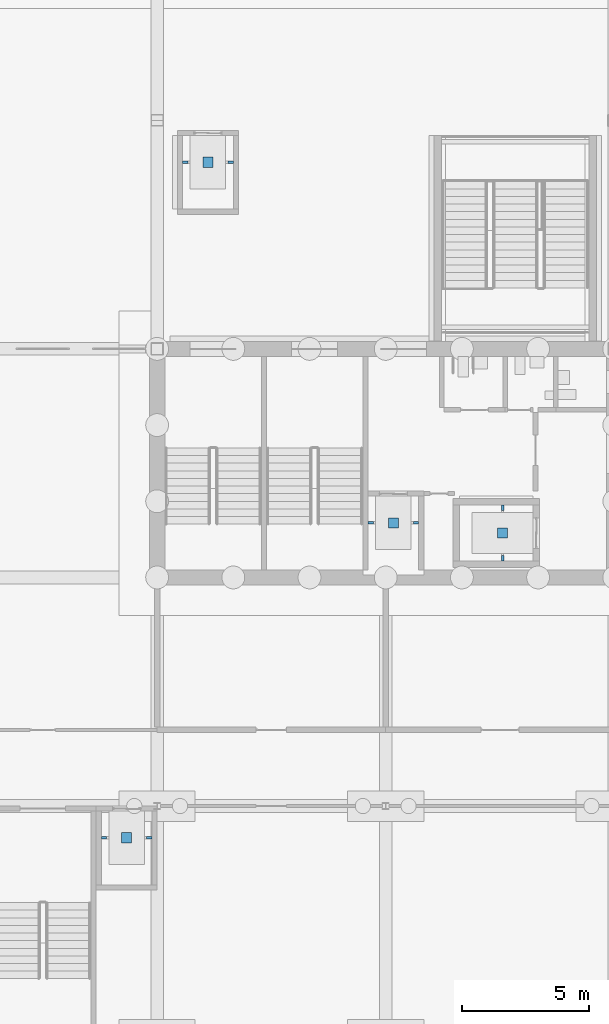
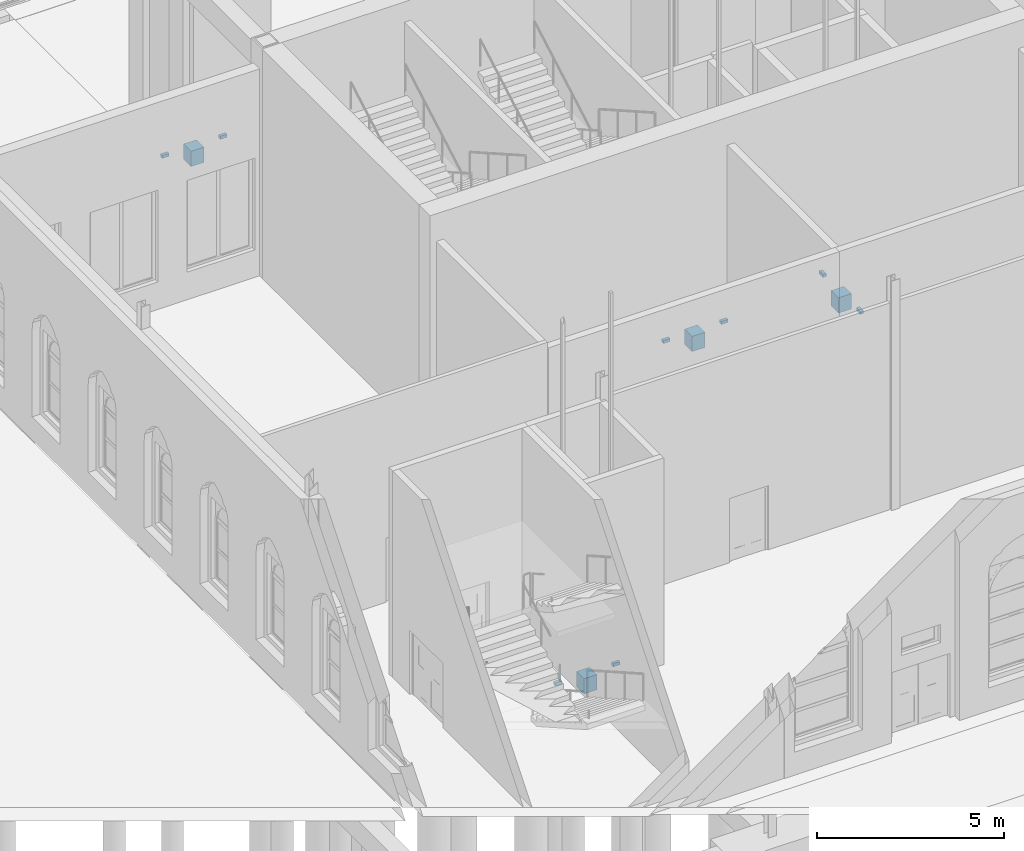
# One storey, part 161 of 250: 12 discrete accessories.
"""IFC4 building model written with IfcOpenShell, lengths in metres."""

from ifc_helpers import new_model, si_unit, direction, frame, origin, origin_2d, place, context, subcontext, project, spatial, rectangle, extrude, material, type_object, element, save


model = new_model("IFC4")

# Units and contexts
model_context = context("Model", 3, precision=1e-05, world=origin(), true_north=direction((0.0, 1.0)))
body_context = subcontext(model_context, "Body", "Model", "MODEL_VIEW")
ifc_project = project(units=[si_unit("LENGTHUNIT", "METRE"), si_unit("AREAUNIT", "SQUARE_METRE"), si_unit("VOLUMEUNIT", "CUBIC_METRE"), si_unit("PLANEANGLEUNIT", "RADIAN"), si_unit("MASSUNIT", "GRAM", prefix="KILO")], contexts=[model_context])

# Site, building, storey
site_placement = place(None, origin())
site = spatial("IfcSite", under=ifc_project, at=site_placement, CompositionType="ELEMENT")
building_placement = place(site_placement, origin())
building = spatial("IfcBuilding", under=site, at=building_placement, Name="Baradari Gate Terminus", CompositionType="ELEMENT")
storey_placement = place(building_placement, origin())
storey = spatial("IfcBuildingStorey", under=building, at=storey_placement, Name="L00", CompositionType="ELEMENT", Elevation=0.0)

# Discrete accessories
ifc_material_1 = material(Name="Steel S355", Category="steel")
discrete_accessory_type_1 = type_object("IfcDiscreteAccessoryType", Name="Lift buffer BF-1 400x400x500", PredefinedType="SHOE", material=ifc_material_1)
for number, where, z_axis, x_axis, name in (
    (1, (81.300048828125, 29.14990234375, -1.60009765625), (0.0, 0.0, 1.0), (1.0, 0.0, 0.0), "Lift buffer LGS1"),
    (2, (85.60009765625, 28.75, -1.60009765625), (0.0, 0.0, 1.0), (1.0, 0.0, 0.0), "Lift buffer LGS2"),
    (3, (74.0, 43.35009765625, -1.60009765625), (0.0, 0.0, 1.0), (1.0, 0.0, 0.0), "Lift buffer LP1"),
    (4, (70.800048828125, 16.75, -1.60009765625), (0.0, 0.0, 1.0), (1.0, 0.0, 0.0), "Lift buffer LSW1"),
):
    element("IfcDiscreteAccessory", number, at=place(storey_placement, frame(where, z_axis=z_axis, x_axis=x_axis)), inside=storey, type_object=discrete_accessory_type_1, Name=name, PredefinedType="SHOE", context=body_context, shape_type="SweptSolid", body=[
        extrude(rectangle(XDim=0.39990234375, YDim=0.39990234375, at=origin_2d()), origin(), (0.0, 0.0, 1.0), 0.5),
    ])
ifc_material_2 = material(Name="Steel S355", Category="steel")
discrete_accessory_type_2 = type_object("IfcDiscreteAccessoryType", Name="Lift rail bracket RB-L1 100x100", PredefinedType="BRACKET", material=ifc_material_2)
for number, where, z_axis, x_axis, name in (
    (5, (80.405029296875, 29.14990234375, -1.150146484375), (0.0, 0.0, 1.0), (1.0, 0.0, 0.0), "Lift rail bracket LGS1 1A"),
    (6, (82.195068359375, 29.14990234375, -1.150146484375), (0.0, 0.0, 1.0), (1.0, 0.0, 0.0), "Lift rail bracket LGS1 2A"),
):
    element("IfcDiscreteAccessory", number, at=place(storey_placement, frame(where, z_axis=z_axis, x_axis=x_axis)), inside=storey, type_object=discrete_accessory_type_2, Name=name, PredefinedType="BRACKET", context=body_context, shape_type="SweptSolid", body=[
        extrude(rectangle(XDim=0.2099609375, YDim=0.10009765625, at=origin_2d()), origin(), (0.0, 0.0, 1.0), 0.10009765625),
    ])
for number, where, z_axis, x_axis, name in (
    (7, (85.60009765625, 27.7548828125, -1.150146484375), (0.0, 0.0, 1.0), (1.0, 0.0, 0.0), "Lift rail bracket LGS2 1A"),
    (8, (85.60009765625, 29.7451171875, -1.150146484375), (0.0, 0.0, 1.0), (1.0, 0.0, 0.0), "Lift rail bracket LGS2 2A"),
):
    element("IfcDiscreteAccessory", number, at=place(storey_placement, frame(where, z_axis=z_axis, x_axis=x_axis)), inside=storey, type_object=discrete_accessory_type_2, Name=name, PredefinedType="BRACKET", context=body_context, shape_type="SweptSolid", body=[
        extrude(rectangle(XDim=0.10009765625, YDim=0.2099609375, at=origin_2d()), origin(), (0.0, 0.0, 1.0), 0.10009765625),
    ])
for number, where, z_axis, x_axis, name in (
    (9, (73.10498046875, 43.35009765625, -1.150146484375), (0.0, 0.0, 1.0), (1.0, 0.0, 0.0), "Lift rail bracket LP1 1A"),
    (10, (74.89501953125, 43.35009765625, -1.150146484375), (0.0, 0.0, 1.0), (1.0, 0.0, 0.0), "Lift rail bracket LP1 2A"),
    (11, (69.905029296875, 16.75, -1.150146484375), (0.0, 0.0, 1.0), (1.0, 0.0, 0.0), "Lift rail bracket LSW1 1A"),
    (12, (71.695068359375, 16.75, -1.150146484375), (0.0, 0.0, 1.0), (1.0, 0.0, 0.0), "Lift rail bracket LSW1 2A"),
):
    element("IfcDiscreteAccessory", number, at=place(storey_placement, frame(where, z_axis=z_axis, x_axis=x_axis)), inside=storey, type_object=discrete_accessory_type_2, Name=name, PredefinedType="BRACKET", context=body_context, shape_type="SweptSolid", body=[
        extrude(rectangle(XDim=0.2099609375, YDim=0.10009765625, at=origin_2d()), origin(), (0.0, 0.0, 1.0), 0.10009765625),
    ])

save(model, "model.ifc")
